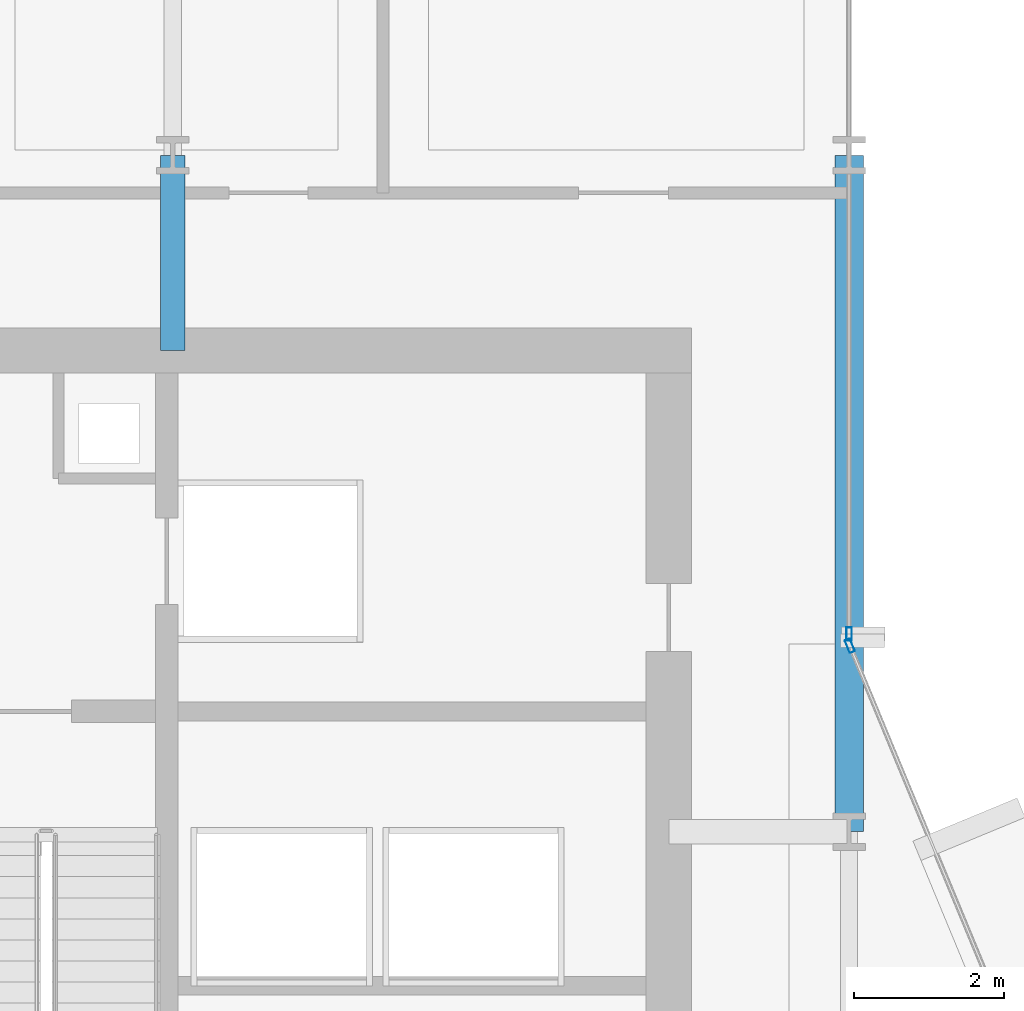
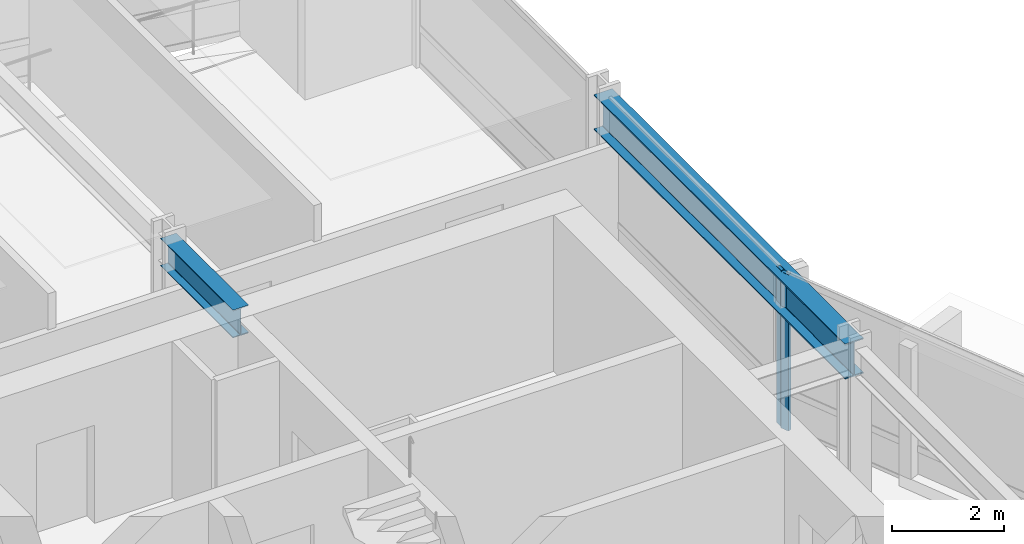
# One storey, part 21 of 34: 2 beams, 2 members, 2 elements without a shape of their own.
"""IFC4 building model written with IfcOpenShell, lengths in metres."""

from ifc_helpers import new_model, si_unit, direction, frame, origin, origin_2d, place, context, subcontext, project, spatial, hollow_rectangle, i_section, extrude, material, layer, layer_set, material_profile, profile_set, type_object, element, aggregate, save


model = new_model("IFC4")

# Units and contexts
model_context = context("Model", 3, precision=1e-05, world=origin(), true_north=direction((0.0, 1.0)))
body_context = subcontext(model_context, "Body", "Model", "MODEL_VIEW")
ifc_project = project(units=[si_unit("LENGTHUNIT", "METRE"), si_unit("AREAUNIT", "SQUARE_METRE"), si_unit("VOLUMEUNIT", "CUBIC_METRE"), si_unit("PLANEANGLEUNIT", "RADIAN"), si_unit("MASSUNIT", "GRAM", prefix="KILO")], contexts=[model_context])

# Site, building, storey
site_placement = place(None, origin())
site = spatial("IfcSite", under=ifc_project, at=site_placement, CompositionType="ELEMENT")
building_placement = place(site_placement, origin())
building = spatial("IfcBuilding", under=site, at=building_placement, Name="Solvaryn Broadcast Tower", CompositionType="ELEMENT")
storey_placement = place(building_placement, frame((0.0, 0.0, 39.699951171875)))
storey = spatial("IfcBuildingStorey", under=building, at=storey_placement, Name="L08", CompositionType="ELEMENT", Elevation=39.699951171875)

# Beams
ifc_material_1 = material(Name="Steel ASTM A992 Grade 50", Category="steel")
ifc_material_profile_1 = material_profile(ifc_material_1, i_section(OverallWidth=0.323974609375, OverallDepth=0.611083984375, WebThickness=0.0126953125, FlangeThickness=0.01904296875, FilletRadius=0.014892578125, at=origin_2d()))
ifc_profile_set_1 = profile_set([ifc_material_profile_1], Name="Steel ASTM A992 Grade 50")
beam_type_1 = type_object("IfcBeamType", Name="BM-B1-W24X104", PredefinedType="BEAM", material=ifc_profile_set_1)
beam_1_placement = place(storey_placement, frame((18.0, 42.39990234375, 3.114501953125), z_axis=(0.0, 1.0, 0.0), x_axis=(-1.0, 0.0, 0.0)))
element("IfcBeam", 1, at=beam_1_placement, inside=storey, type_object=beam_type_1, Name="L08 Core Tie Beam CTW3", PredefinedType="BEAM", context=body_context, shape_type="SweptSolid", body=[
    extrude(i_section(OverallWidth=0.323974609375, OverallDepth=0.611083984375, WebThickness=0.0126953125, FlangeThickness=0.01904296875, FilletRadius=0.014892578125, at=origin_2d()), origin(), (0.0, 0.0, 1.0), 2.60009765625),
])
ifc_material_2 = material(Name="Steel ASTM A992 Grade 50", Category="steel")
ifc_material_profile_2 = material_profile(ifc_material_2, i_section(OverallWidth=0.381103515625, OverallDepth=0.77294921875, WebThickness=0.0166015625, FlangeThickness=0.027099609375, FilletRadius=0.01806640625, at=origin_2d()))
ifc_profile_set_2 = profile_set([ifc_material_profile_2], Name="Steel ASTM A992 Grade 50")
beam_type_2 = type_object("IfcBeamType", Name="BM-SP1-W30X173", PredefinedType="USERDEFINED", material=ifc_profile_set_2)
beam_2_placement = place(storey_placement, frame((27.0, 36.0, 3.033447265625), z_axis=(0.0, 1.0, 0.0), x_axis=(-1.0, 0.0, 0.0)))
element("IfcBeam", 2, at=beam_2_placement, inside=storey, type_object=beam_type_2, Name="L08 Spandrel Beam Y (36-45 @ X=27)", ObjectType="SPANDREL", PredefinedType="USERDEFINED", context=body_context, shape_type="SweptSolid", body=[
    extrude(i_section(OverallWidth=0.381103515625, OverallDepth=0.77294921875, WebThickness=0.0166015625, FlangeThickness=0.027099609375, FilletRadius=0.01806640625, at=origin_2d()), origin(), (0.0, 0.0, 1.0), 9.0),
])

# Curtain wall, member
ifc_material_3 = material(Name="Aluminium and Terracotta Unitised Curtain Wall", Category="masonry")
ifc_layer = layer(ifc_material_3, 0.199951171875)
ifc_layer_set = layer_set([ifc_layer], Name="CW-SYS2-LOWMID")
curtain_wall_type = type_object("IfcCurtainWallType", Name="CW-SYS2-LOWMID", PredefinedType="NOTDEFINED", material=ifc_layer_set)
curtain_wall_1_placement = place(storey_placement, origin())
curtain_wall_1 = element("IfcCurtainWall", 3, at=curtain_wall_1_placement, inside=storey, type_object=curtain_wall_type, Name="L08 Curtain Wall IV", PredefinedType="NOTDEFINED")
ifc_material_4 = material(Name="Anodised Aluminium 6063-T6", Category="aluminium")
ifc_material_profile_3 = material_profile(ifc_material_4, hollow_rectangle(XDim=0.074951171875, YDim=0.179931640625, WallThickness=0.00390625, InnerFilletRadius=0.00390625, OuterFilletRadius=0.008056640625, at=origin_2d()))
ifc_profile_set_3 = profile_set([ifc_material_profile_3], Name="Anodised Aluminium 6063-T6")
member_type = type_object("IfcMemberType", Name="CW-MUL-180", PredefinedType="MULLION", material=ifc_profile_set_3)
member_1_placement = place(storey_placement, frame((27.0, 38.6298828125, 0.0), z_axis=(0.0, 0.0, 1.0), x_axis=(1.0, 0.0, 0.0)))
member_1 = element("IfcMember", 4, at=member_1_placement, type_object=member_type, Name="CWS2 mullion 2", PredefinedType="MULLION", context=body_context, shape_type="SweptSolid", body=[
    extrude(hollow_rectangle(XDim=0.074951171875, YDim=0.179931640625, WallThickness=0.00390625, InnerFilletRadius=0.00390625, OuterFilletRadius=0.008056640625, at=origin_2d()), origin(), (0.0, 0.0, 1.0), 3.420166015625),
])
aggregate(curtain_wall_1, [member_1])

curtain_wall_2_placement = place(storey_placement, origin())
curtain_wall_2 = element("IfcCurtainWall", 5, at=curtain_wall_2_placement, inside=storey, type_object=curtain_wall_type, Name="L08 Curtain Wall CN2", PredefinedType="NOTDEFINED")
member_2_placement = place(storey_placement, frame((27.011474609375, 38.47216796875, 0.0), z_axis=(0.0, 0.0, 1.0), x_axis=(-0.923894983957, -0.382646127145, 0.0)))
member_2 = element("IfcMember", 6, at=member_2_placement, type_object=member_type, Name="CWS2 mullion 2", PredefinedType="MULLION", context=body_context, shape_type="SweptSolid", body=[
    extrude(hollow_rectangle(XDim=0.074951171875, YDim=0.179931640625, WallThickness=0.00390625, InnerFilletRadius=0.00390625, OuterFilletRadius=0.008056640625, at=origin_2d()), origin(), (0.0, 0.0, 1.0), 3.420166015625),
])
aggregate(curtain_wall_2, [member_2])

save(model, "model.ifc")
